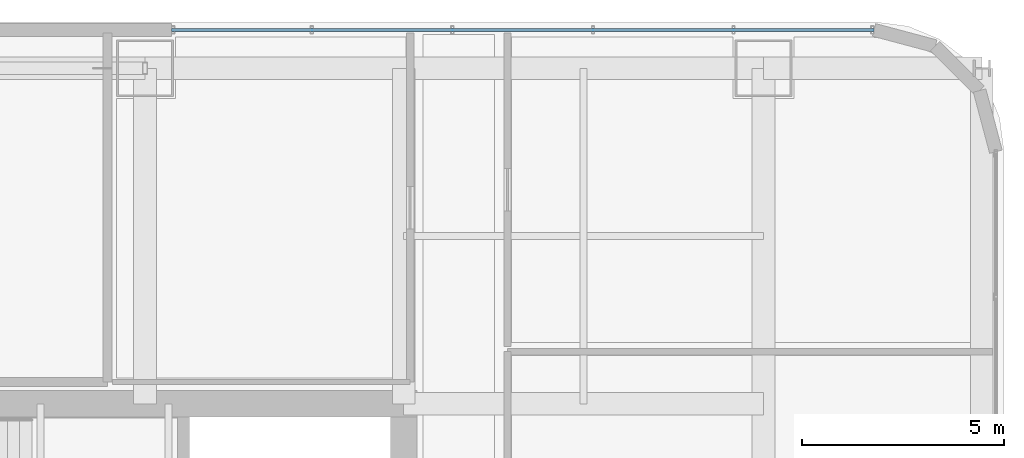
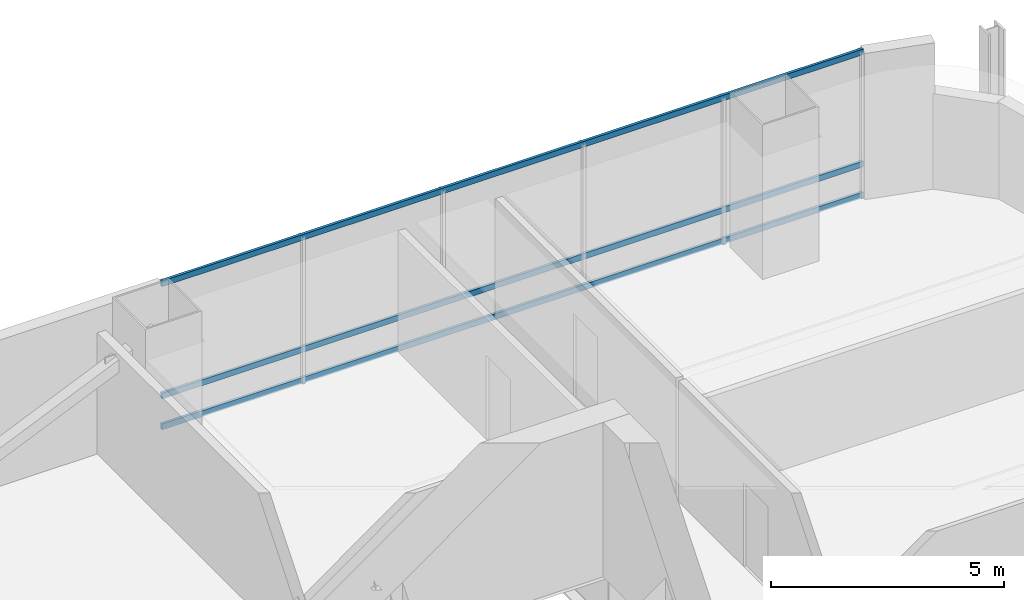
# One storey, part 25 of 41: 3 members, 1 element without a shape of its own.
"""IFC4 building model written with IfcOpenShell, lengths in metres."""

from ifc_helpers import new_model, si_unit, direction, frame, origin, origin_2d, place, context, subcontext, project, spatial, hollow_rectangle, extrude, material, material_profile, profile_set, type_object, element, aggregate, save


model = new_model("IFC4")

# Units and contexts
model_context = context("Model", 3, precision=1e-05, world=origin(), true_north=direction((0.0, 1.0)))
body_context = subcontext(model_context, "Body", "Model", "MODEL_VIEW")
ifc_project = project(units=[si_unit("LENGTHUNIT", "METRE"), si_unit("AREAUNIT", "SQUARE_METRE"), si_unit("VOLUMEUNIT", "CUBIC_METRE"), si_unit("PLANEANGLEUNIT", "RADIAN"), si_unit("MASSUNIT", "GRAM", prefix="KILO")], contexts=[model_context])

# Site, building, storey
site_placement = place(None, origin())
site = spatial("IfcSite", under=ifc_project, at=site_placement, CompositionType="ELEMENT")
building_placement = place(site_placement, origin())
building = spatial("IfcBuilding", under=site, at=building_placement, Name="Punatoya Terracotta Tower", CompositionType="ELEMENT")
storey_placement = place(building_placement, frame((0.0, 0.0, 220.800048828125)))
storey = spatial("IfcBuildingStorey", under=building, at=storey_placement, Name="L52", CompositionType="ELEMENT", Elevation=220.800048828125)

# Curtain wall, members
ifc_material_1 = material(Name="Aluminium 6063-T6 + Double Low-E Glass", Category="aluminium")
curtain_wall_type = type_object("IfcCurtainWallType", Name="CW-M2", PredefinedType="NOTDEFINED", material=ifc_material_1)
curtain_wall_placement = place(storey_placement, origin())
curtain_wall = element("IfcCurtainWall", 1, at=curtain_wall_placement, inside=storey, type_object=curtain_wall_type, Name="L52 Curtain Wall CW-L52-N08-1", PredefinedType="NOTDEFINED")
ifc_material_2 = material(Name="Aluminium 6063-T6", Category="aluminium")
ifc_material_profile = material_profile(ifc_material_2, hollow_rectangle(XDim=0.068115234375, YDim=0.14990234375, WallThickness=0.00390625, at=origin_2d()))
ifc_profile_set = profile_set([ifc_material_profile], Name="Aluminium 6063-T6")
member_type = type_object("IfcMemberType", Name="CW-TRN-TYP", PredefinedType="USERDEFINED", material=ifc_profile_set)
member_1_placement = place(storey_placement, frame((21.8369140625, 18.449951171875, 0.0400390625), z_axis=(-1.0, 0.0, 0.0), x_axis=(0.0, -1.0, 0.0)))
member_1 = element("IfcMember", 2, at=member_1_placement, type_object=member_type, Name="CW-L52-N08-1 Transom 1", ObjectType="TRANSOM", PredefinedType="USERDEFINED", context=body_context, shape_type="SweptSolid", body=[
    extrude(hollow_rectangle(XDim=0.068115234375, YDim=0.14990234375, WallThickness=0.00390625, at=origin_2d()), origin(), (0.0, 0.0, 1.0), 17.386962890625),
])
member_2_placement = place(storey_placement, frame((21.8369140625, 18.449951171875, 0.849853515625), z_axis=(-1.0, 0.0, 0.0), x_axis=(0.0, -1.0, 0.0)))
member_2 = element("IfcMember", 3, at=member_2_placement, type_object=member_type, Name="CW-L52-N08-1 Transom 2", ObjectType="TRANSOM", PredefinedType="USERDEFINED", context=body_context, shape_type="SweptSolid", body=[
    extrude(hollow_rectangle(XDim=0.068115234375, YDim=0.14990234375, WallThickness=0.00390625, at=origin_2d()), origin(), (0.0, 0.0, 1.0), 17.386962890625),
])
member_3_placement = place(storey_placement, frame((21.8369140625, 18.449951171875, 3.7900390625), z_axis=(-1.0, 0.0, 0.0), x_axis=(0.0, -1.0, 0.0)))
member_3 = element("IfcMember", 4, at=member_3_placement, type_object=member_type, Name="CW-L52-N08-1 Transom 3", ObjectType="TRANSOM", PredefinedType="USERDEFINED", context=body_context, shape_type="SweptSolid", body=[
    extrude(hollow_rectangle(XDim=0.068115234375, YDim=0.14990234375, WallThickness=0.00390625, at=origin_2d()), origin(), (0.0, 0.0, 1.0), 17.386962890625),
])
aggregate(curtain_wall, [member_1, member_2, member_3])

save(model, "model.ifc")
